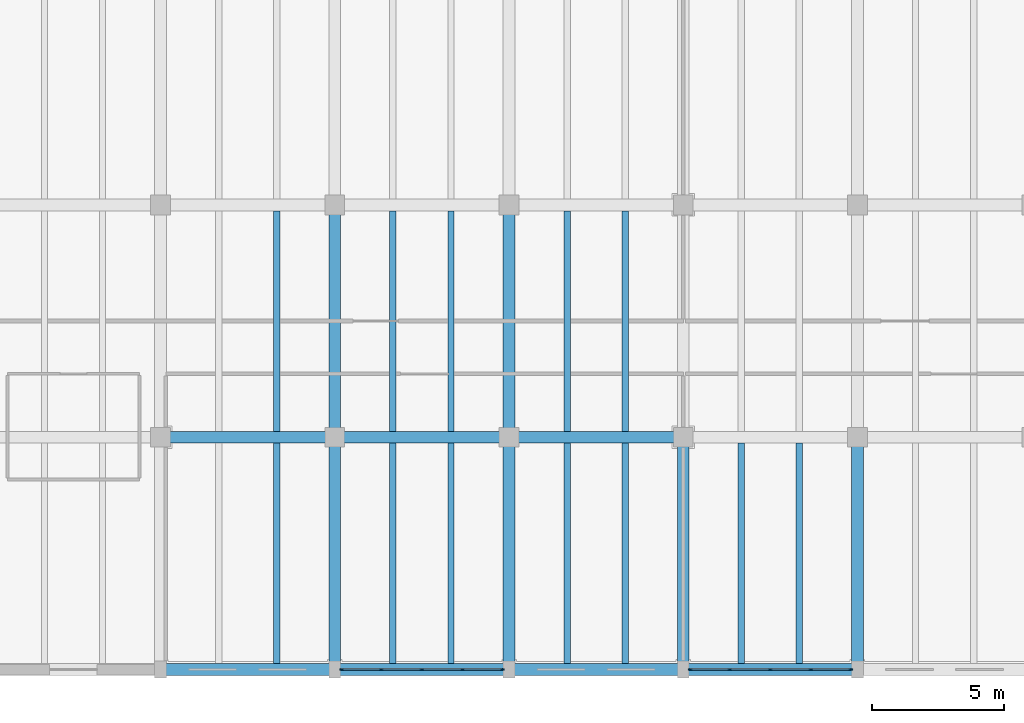
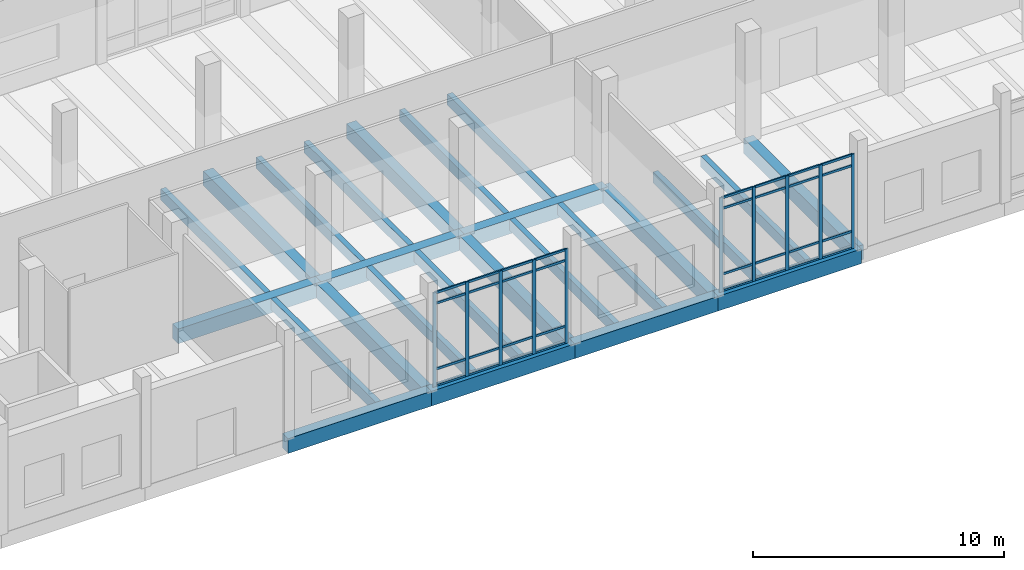
# One storey, part 22 of 72: 42 members, 25 beams, 2 elements without a shape of their own.
"""IFC4 building model written with IfcOpenShell, lengths in metres."""

from ifc_helpers import new_model, si_unit, direction, frame, origin, origin_2d, place, context, subcontext, project, spatial, rectangle, extrude, material, material_profile, profile_set, type_object, element, aggregate, save


model = new_model("IFC4")

# Units and contexts
model_context = context("Model", 3, precision=1e-05, world=origin(), true_north=direction((0.0, 1.0)))
body_context = subcontext(model_context, "Body", "Model", "MODEL_VIEW")
ifc_project = project(units=[si_unit("LENGTHUNIT", "METRE"), si_unit("AREAUNIT", "SQUARE_METRE"), si_unit("VOLUMEUNIT", "CUBIC_METRE"), si_unit("PLANEANGLEUNIT", "RADIAN"), si_unit("MASSUNIT", "GRAM", prefix="KILO")], contexts=[model_context])

# Site, building, storey
site_placement = place(None, origin())
site = spatial("IfcSite", under=ifc_project, at=site_placement, CompositionType="ELEMENT")
building_placement = place(site_placement, origin())
building = spatial("IfcBuilding", under=site, at=building_placement, Name="Dornvale Research Institute", CompositionType="ELEMENT")
storey_placement = place(building_placement, origin())
storey = spatial("IfcBuildingStorey", under=building, at=storey_placement, Name="L00", CompositionType="ELEMENT", Elevation=0.0)

# Beams
ifc_material_1 = material(Name="Concrete f'c 45 MPa (C35/45)", Category="concrete")
ifc_material_profile_1 = material_profile(ifc_material_1, rectangle(XDim=0.449951171875, YDim=0.715087890625, at=origin_2d()), Name="RC 450x715")
ifc_profile_set_1 = profile_set([ifc_material_profile_1], Name="Concrete f'c 45 MPa (C35/45)")
beam_type_1 = type_object("IfcBeamType", Name="Beam_RC450x715_Lab", PredefinedType="BEAM", material=ifc_profile_set_1)
for number, where, z_axis, x_axis, name in (
    (1, (125.39990234375, 0.0, -0.357421875), (1.0, 0.0, 0.0), (0.0, 1.0, 0.0), "L00 primary girder #135"),
    (2, (132.0, 0.0, -0.357421875), (1.0, 0.0, 0.0), (0.0, 1.0, 0.0), "L00 primary girder #136"),
):
    element("IfcBeam", number, at=place(storey_placement, frame(where, z_axis=z_axis, x_axis=x_axis)), inside=storey, type_object=beam_type_1, Name=name, PredefinedType="BEAM", context=body_context, shape_type="SweptSolid", body=[
        extrude(rectangle(XDim=0.449951171875, YDim=0.715087890625, at=origin_2d()), origin(), (0.0, 0.0, 1.0), 6.60009765625),
    ])
beam_1_placement = place(storey_placement, frame((138.60009765625, 0.0, -0.357421875), z_axis=(1.0, 0.0, 0.0), x_axis=(0.0, 1.0, 0.0)))
element("IfcBeam", 3, at=beam_1_placement, inside=storey, type_object=beam_type_1, Name="L00 primary girder #137", PredefinedType="BEAM", context=body_context, shape_type="SweptSolid", body=[
    extrude(rectangle(XDim=0.449951171875, YDim=0.715087890625, at=origin_2d()), origin(), (0.0, 0.0, 1.0), 6.599853515625),
])
for number, where, z_axis, x_axis, name in (
    (4, (145.199951171875, 0.0, -0.357421875), (1.0, 0.0, 0.0), (0.0, 1.0, 0.0), "L00 primary girder #138"),
    (5, (125.39990234375, 8.800048828125, -0.357421875), (1.0, 0.0, 0.0), (0.0, 1.0, 0.0), "L00 primary girder #147"),
    (6, (132.0, 8.800048828125, -0.357421875), (1.0, 0.0, 0.0), (0.0, 1.0, 0.0), "L00 primary girder #148"),
):
    element("IfcBeam", number, at=place(storey_placement, frame(where, z_axis=z_axis, x_axis=x_axis)), inside=storey, type_object=beam_type_1, Name=name, PredefinedType="BEAM", context=body_context, shape_type="SweptSolid", body=[
        extrude(rectangle(XDim=0.449951171875, YDim=0.715087890625, at=origin_2d()), origin(), (0.0, 0.0, 1.0), 6.60009765625),
    ])
beam_2_placement = place(storey_placement, frame((138.60009765625, 8.800048828125, -0.357421875), z_axis=(1.0, 0.0, 0.0), x_axis=(0.0, 1.0, 0.0)))
element("IfcBeam", 7, at=beam_2_placement, inside=storey, type_object=beam_type_1, Name="L00 primary girder #149", PredefinedType="BEAM", context=body_context, shape_type="SweptSolid", body=[
    extrude(rectangle(XDim=0.449951171875, YDim=0.715087890625, at=origin_2d()), origin(), (0.0, 0.0, 1.0), 6.599853515625),
])
for number, where, z_axis, x_axis, name in (
    (8, (132.0, 0.0, -0.357421875), (0.0, 1.0, 0.0), (-1.0, 0.0, 0.0), "L00 transverse girder #193"),
    (9, (132.0, 8.800048828125, -0.357421875), (0.0, 1.0, 0.0), (-1.0, 0.0, 0.0), "L00 transverse girder #194"),
    (10, (138.60009765625, 0.0, -0.357421875), (0.0, 1.0, 0.0), (-1.0, 0.0, 0.0), "L00 transverse girder #196"),
    (11, (138.60009765625, 8.800048828125, -0.357421875), (0.0, 1.0, 0.0), (-1.0, 0.0, 0.0), "L00 transverse girder #197"),
    (12, (145.199951171875, 0.0, -0.357421875), (0.0, 1.0, 0.0), (-1.0, 0.0, 0.0), "L00 transverse girder #199"),
    (13, (151.800048828125, 0.0, -0.357421875), (0.0, 1.0, 0.0), (-1.0, 0.0, 0.0), "L00 transverse girder #202"),
):
    element("IfcBeam", number, at=place(storey_placement, frame(where, z_axis=z_axis, x_axis=x_axis)), inside=storey, type_object=beam_type_1, Name=name, PredefinedType="BEAM", context=body_context, shape_type="SweptSolid", body=[
        extrude(rectangle(XDim=0.449951171875, YDim=0.715087890625, at=origin_2d()), origin(), (0.0, 0.0, 1.0), 8.800048828125),
    ])
ifc_material_2 = material(Name="Concrete f'c 45 MPa (C35/45)", Category="concrete")
ifc_material_profile_2 = material_profile(ifc_material_2, rectangle(XDim=0.239990234375, YDim=0.534912109375, at=origin_2d()), Name="RC 240x535")
ifc_profile_set_2 = profile_set([ifc_material_profile_2], Name="Concrete f'c 45 MPa (C35/45)")
beam_type_2 = type_object("IfcBeamType", Name="Joist_RC240x535_Waffle", PredefinedType="JOIST", material=ifc_profile_set_2)
beam_3_placement = place(storey_placement, frame((129.800048828125, 0.22509765625, -0.267578125), z_axis=(0.0, 1.0, 0.0), x_axis=(-1.0, 0.0, 0.0)))
element("IfcBeam", 14, at=beam_3_placement, inside=storey, type_object=beam_type_2, Name="L00 laboratory waffle joist #96", PredefinedType="JOIST", context=body_context, shape_type="SweptSolid", body=[
    extrude(rectangle(XDim=0.239990234375, YDim=0.534912109375, at=origin_2d()), origin(), (0.0, 0.0, 1.0), 8.349853515625),
])
beam_4_placement = place(storey_placement, frame((129.800048828125, 9.02490234375, -0.267578125), z_axis=(0.0, 1.0, 0.0), x_axis=(-1.0, 0.0, 0.0)))
element("IfcBeam", 15, at=beam_4_placement, inside=storey, type_object=beam_type_2, Name="L00 laboratory waffle joist #98", PredefinedType="JOIST", context=body_context, shape_type="SweptSolid", body=[
    extrude(rectangle(XDim=0.239990234375, YDim=0.534912109375, at=origin_2d()), origin(), (0.0, 0.0, 1.0), 8.35009765625),
])
for number, where, z_axis, x_axis, name in (
    (16, (134.199951171875, 0.22509765625, -0.267578125), (0.0, 1.0, 0.0), (-1.0, 0.0, 0.0), "L00 laboratory waffle joist #101"),
    (17, (136.39990234375, 0.22509765625, -0.267578125), (0.0, 1.0, 0.0), (-1.0, 0.0, 0.0), "L00 laboratory waffle joist #102"),
):
    element("IfcBeam", number, at=place(storey_placement, frame(where, z_axis=z_axis, x_axis=x_axis)), inside=storey, type_object=beam_type_2, Name=name, PredefinedType="JOIST", context=body_context, shape_type="SweptSolid", body=[
        extrude(rectangle(XDim=0.239990234375, YDim=0.534912109375, at=origin_2d()), origin(), (0.0, 0.0, 1.0), 8.349853515625),
    ])
for number, where, z_axis, x_axis, name in (
    (18, (134.199951171875, 9.02490234375, -0.267578125), (0.0, 1.0, 0.0), (-1.0, 0.0, 0.0), "L00 laboratory waffle joist #103"),
    (19, (136.39990234375, 9.02490234375, -0.267578125), (0.0, 1.0, 0.0), (-1.0, 0.0, 0.0), "L00 laboratory waffle joist #104"),
):
    element("IfcBeam", number, at=place(storey_placement, frame(where, z_axis=z_axis, x_axis=x_axis)), inside=storey, type_object=beam_type_2, Name=name, PredefinedType="JOIST", context=body_context, shape_type="SweptSolid", body=[
        extrude(rectangle(XDim=0.239990234375, YDim=0.534912109375, at=origin_2d()), origin(), (0.0, 0.0, 1.0), 8.35009765625),
    ])
for number, where, z_axis, x_axis, name in (
    (20, (140.800048828125, 0.22509765625, -0.267578125), (0.0, 1.0, 0.0), (-1.0, 0.0, 0.0), "L00 laboratory waffle joist #107"),
    (21, (143.0, 0.22509765625, -0.267578125), (0.0, 1.0, 0.0), (-1.0, 0.0, 0.0), "L00 laboratory waffle joist #108"),
):
    element("IfcBeam", number, at=place(storey_placement, frame(where, z_axis=z_axis, x_axis=x_axis)), inside=storey, type_object=beam_type_2, Name=name, PredefinedType="JOIST", context=body_context, shape_type="SweptSolid", body=[
        extrude(rectangle(XDim=0.239990234375, YDim=0.534912109375, at=origin_2d()), origin(), (0.0, 0.0, 1.0), 8.349853515625),
    ])
for number, where, z_axis, x_axis, name in (
    (22, (140.800048828125, 9.02490234375, -0.267578125), (0.0, 1.0, 0.0), (-1.0, 0.0, 0.0), "L00 laboratory waffle joist #109"),
    (23, (143.0, 9.02490234375, -0.267578125), (0.0, 1.0, 0.0), (-1.0, 0.0, 0.0), "L00 laboratory waffle joist #110"),
):
    element("IfcBeam", number, at=place(storey_placement, frame(where, z_axis=z_axis, x_axis=x_axis)), inside=storey, type_object=beam_type_2, Name=name, PredefinedType="JOIST", context=body_context, shape_type="SweptSolid", body=[
        extrude(rectangle(XDim=0.239990234375, YDim=0.534912109375, at=origin_2d()), origin(), (0.0, 0.0, 1.0), 8.35009765625),
    ])
for number, where, z_axis, x_axis, name in (
    (24, (147.39990234375, 0.22509765625, -0.267578125), (0.0, 1.0, 0.0), (-1.0, 0.0, 0.0), "L00 laboratory waffle joist #113"),
    (25, (149.60009765625, 0.22509765625, -0.267578125), (0.0, 1.0, 0.0), (-1.0, 0.0, 0.0), "L00 laboratory waffle joist #114"),
):
    element("IfcBeam", number, at=place(storey_placement, frame(where, z_axis=z_axis, x_axis=x_axis)), inside=storey, type_object=beam_type_2, Name=name, PredefinedType="JOIST", context=body_context, shape_type="SweptSolid", body=[
        extrude(rectangle(XDim=0.239990234375, YDim=0.534912109375, at=origin_2d()), origin(), (0.0, 0.0, 1.0), 8.349853515625),
    ])

# Curtain wall, members
ifc_material_3 = material(Name="Low-E Argon Double Insulating Glazing Unit", Category="glass")
curtain_wall_type = type_object("IfcCurtainWallType", Name="UnitisedCurtainWall_V3_6150x4600", PredefinedType="USERDEFINED", material=ifc_material_3)
curtain_wall_1_placement = place(storey_placement, origin())
curtain_wall_1 = element("IfcCurtainWall", 26, at=curtain_wall_1_placement, inside=storey, type_object=curtain_wall_type, Name="L00 V3 unitised curtain wall CW-04 #27", ObjectType="UNITISED CURTAIN WALL", PredefinedType="USERDEFINED")
ifc_material_4 = material(Name="Anodized Aluminum AA 6063-T6 Thermally Broken Frame", Category="aluminium")
ifc_material_profile_3 = material_profile(ifc_material_4, rectangle(XDim=0.06494140625, YDim=0.14990234375, at=origin_2d()), Name="ALU MULLION 65x150")
ifc_profile_set_3 = profile_set([ifc_material_profile_3], Name="Anodized Aluminum AA 6063-T6 Thermally Broken Frame")
member_type_1 = type_object("IfcMemberType", Name="Mullion_CW_65x150", PredefinedType="MULLION", material=ifc_profile_set_3)
member_1_placement = place(storey_placement, frame((151.54248046875, 0.0, 0.0), z_axis=(0.0, 0.0, 1.0), x_axis=(0.0, -1.0, 0.0)))
member_1 = element("IfcMember", 27, at=member_1_placement, type_object=member_type_1, Name="CW-04 mullion 1", PredefinedType="MULLION", context=body_context, shape_type="SweptSolid", body=[
    extrude(rectangle(XDim=0.06494140625, YDim=0.14990234375, at=origin_2d()), origin(), (0.0, 0.0, 1.0), 4.60009765625),
])
member_2_placement = place(storey_placement, frame((150.03759765625, 0.0, 0.0), z_axis=(0.0, 0.0, 1.0), x_axis=(0.0, -1.0, 0.0)))
member_2 = element("IfcMember", 28, at=member_2_placement, type_object=member_type_1, Name="CW-04 mullion 2", PredefinedType="MULLION", context=body_context, shape_type="SweptSolid", body=[
    extrude(rectangle(XDim=0.06494140625, YDim=0.14990234375, at=origin_2d()), origin(), (0.0, 0.0, 1.0), 4.60009765625),
])
member_3_placement = place(storey_placement, frame((148.5, 0.0, 0.0), z_axis=(0.0, 0.0, 1.0), x_axis=(0.0, -1.0, 0.0)))
member_3 = element("IfcMember", 29, at=member_3_placement, type_object=member_type_1, Name="CW-04 mullion 3", PredefinedType="MULLION", context=body_context, shape_type="SweptSolid", body=[
    extrude(rectangle(XDim=0.06494140625, YDim=0.14990234375, at=origin_2d()), origin(), (0.0, 0.0, 1.0), 4.60009765625),
])
member_4_placement = place(storey_placement, frame((146.96240234375, 0.0, 0.0), z_axis=(0.0, 0.0, 1.0), x_axis=(0.0, -1.0, 0.0)))
member_4 = element("IfcMember", 30, at=member_4_placement, type_object=member_type_1, Name="CW-04 mullion 4", PredefinedType="MULLION", context=body_context, shape_type="SweptSolid", body=[
    extrude(rectangle(XDim=0.06494140625, YDim=0.14990234375, at=origin_2d()), origin(), (0.0, 0.0, 1.0), 4.60009765625),
])
member_5_placement = place(storey_placement, frame((145.45751953125, 0.0, 0.0), z_axis=(0.0, 0.0, 1.0), x_axis=(0.0, -1.0, 0.0)))
member_5 = element("IfcMember", 31, at=member_5_placement, type_object=member_type_1, Name="CW-04 mullion 5", PredefinedType="MULLION", context=body_context, shape_type="SweptSolid", body=[
    extrude(rectangle(XDim=0.06494140625, YDim=0.14990234375, at=origin_2d()), origin(), (0.0, 0.0, 1.0), 4.60009765625),
])

curtain_wall_2_placement = place(storey_placement, origin())
curtain_wall_2 = element("IfcCurtainWall", 32, at=curtain_wall_2_placement, inside=storey, type_object=curtain_wall_type, Name="L00 V3 unitised curtain wall CW-04 #28", ObjectType="UNITISED CURTAIN WALL", PredefinedType="USERDEFINED")
member_6_placement = place(storey_placement, frame((138.342529296875, 0.0, 0.0), z_axis=(0.0, 0.0, 1.0), x_axis=(0.0, -1.0, 0.0)))
member_6 = element("IfcMember", 33, at=member_6_placement, type_object=member_type_1, Name="CW-04 mullion 1", PredefinedType="MULLION", context=body_context, shape_type="SweptSolid", body=[
    extrude(rectangle(XDim=0.06494140625, YDim=0.14990234375, at=origin_2d()), origin(), (0.0, 0.0, 1.0), 4.60009765625),
])
member_7_placement = place(storey_placement, frame((136.83740234375, 0.0, 0.0), z_axis=(0.0, 0.0, 1.0), x_axis=(0.0, -1.0, 0.0)))
member_7 = element("IfcMember", 34, at=member_7_placement, type_object=member_type_1, Name="CW-04 mullion 2", PredefinedType="MULLION", context=body_context, shape_type="SweptSolid", body=[
    extrude(rectangle(XDim=0.06494140625, YDim=0.14990234375, at=origin_2d()), origin(), (0.0, 0.0, 1.0), 4.60009765625),
])
member_8_placement = place(storey_placement, frame((135.300048828125, 0.0, 0.0), z_axis=(0.0, 0.0, 1.0), x_axis=(0.0, -1.0, 0.0)))
member_8 = element("IfcMember", 35, at=member_8_placement, type_object=member_type_1, Name="CW-04 mullion 3", PredefinedType="MULLION", context=body_context, shape_type="SweptSolid", body=[
    extrude(rectangle(XDim=0.06494140625, YDim=0.14990234375, at=origin_2d()), origin(), (0.0, 0.0, 1.0), 4.60009765625),
])
member_9_placement = place(storey_placement, frame((133.762451171875, 0.0, 0.0), z_axis=(0.0, 0.0, 1.0), x_axis=(0.0, -1.0, 0.0)))
member_9 = element("IfcMember", 36, at=member_9_placement, type_object=member_type_1, Name="CW-04 mullion 4", PredefinedType="MULLION", context=body_context, shape_type="SweptSolid", body=[
    extrude(rectangle(XDim=0.06494140625, YDim=0.14990234375, at=origin_2d()), origin(), (0.0, 0.0, 1.0), 4.60009765625),
])
member_10_placement = place(storey_placement, frame((132.257568359375, 0.0, 0.0), z_axis=(0.0, 0.0, 1.0), x_axis=(0.0, -1.0, 0.0)))
member_10 = element("IfcMember", 37, at=member_10_placement, type_object=member_type_1, Name="CW-04 mullion 5", PredefinedType="MULLION", context=body_context, shape_type="SweptSolid", body=[
    extrude(rectangle(XDim=0.06494140625, YDim=0.14990234375, at=origin_2d()), origin(), (0.0, 0.0, 1.0), 4.60009765625),
])

# Member
ifc_material_5 = material(Name="Anodized Aluminum AA 6063-T6 Thermally Broken Frame", Category="aluminium")
ifc_material_profile_4 = material_profile(ifc_material_5, rectangle(XDim=0.06494140625, YDim=0.110107421875, at=origin_2d()), Name="ALU TRANSOM 65x110")
ifc_profile_set_4 = profile_set([ifc_material_profile_4], Name="Anodized Aluminum AA 6063-T6 Thermally Broken Frame")
member_type_2 = type_object("IfcMemberType", Name="Transom_CW_65x110", PredefinedType="USERDEFINED", material=ifc_profile_set_4)
member_11_placement = place(storey_placement, frame((151.510009765625, 0.0, 0.032470703125), z_axis=(-1.0, 0.0, 0.0), x_axis=(0.0, -1.0, 0.0)))
member_11 = element("IfcMember", 38, at=member_11_placement, type_object=member_type_2, Name="CW-04 transom 1.1", ObjectType="TRANSOM", PredefinedType="USERDEFINED", context=body_context, shape_type="SweptSolid", body=[
    extrude(rectangle(XDim=0.06494140625, YDim=0.110107421875, at=origin_2d()), origin(), (0.0, 0.0, 1.0), 1.43994140625),
])

member_12_placement = place(storey_placement, frame((151.510009765625, 0.0, 0.85009765625), z_axis=(-1.0, 0.0, 0.0), x_axis=(0.0, -1.0, 0.0)))
member_12 = element("IfcMember", 39, at=member_12_placement, type_object=member_type_2, Name="CW-04 transom 1.2", ObjectType="TRANSOM", PredefinedType="USERDEFINED", context=body_context, shape_type="SweptSolid", body=[
    extrude(rectangle(XDim=0.06494140625, YDim=0.110107421875, at=origin_2d()), origin(), (0.0, 0.0, 1.0), 1.43994140625),
])

member_13_placement = place(storey_placement, frame((151.510009765625, 0.0, 4.050048828125), z_axis=(-1.0, 0.0, 0.0), x_axis=(0.0, -1.0, 0.0)))
member_13 = element("IfcMember", 40, at=member_13_placement, type_object=member_type_2, Name="CW-04 transom 1.3", ObjectType="TRANSOM", PredefinedType="USERDEFINED", context=body_context, shape_type="SweptSolid", body=[
    extrude(rectangle(XDim=0.06494140625, YDim=0.110107421875, at=origin_2d()), origin(), (0.0, 0.0, 1.0), 1.43994140625),
])

member_14_placement = place(storey_placement, frame((151.510009765625, 0.0, 4.5673828125), z_axis=(-1.0, 0.0, 0.0), x_axis=(0.0, -1.0, 0.0)))
member_14 = element("IfcMember", 41, at=member_14_placement, type_object=member_type_2, Name="CW-04 transom 1.4", ObjectType="TRANSOM", PredefinedType="USERDEFINED", context=body_context, shape_type="SweptSolid", body=[
    extrude(rectangle(XDim=0.06494140625, YDim=0.110107421875, at=origin_2d()), origin(), (0.0, 0.0, 1.0), 1.43994140625),
])

member_15_placement = place(storey_placement, frame((150.0048828125, 0.0, 0.032470703125), z_axis=(-1.0, 0.0, 0.0), x_axis=(0.0, -1.0, 0.0)))
member_15 = element("IfcMember", 42, at=member_15_placement, type_object=member_type_2, Name="CW-04 transom 2.1", ObjectType="TRANSOM", PredefinedType="USERDEFINED", context=body_context, shape_type="SweptSolid", body=[
    extrude(rectangle(XDim=0.06494140625, YDim=0.110107421875, at=origin_2d()), origin(), (0.0, 0.0, 1.0), 1.472412109375),
])

member_16_placement = place(storey_placement, frame((150.0048828125, 0.0, 0.85009765625), z_axis=(-1.0, 0.0, 0.0), x_axis=(0.0, -1.0, 0.0)))
member_16 = element("IfcMember", 43, at=member_16_placement, type_object=member_type_2, Name="CW-04 transom 2.2", ObjectType="TRANSOM", PredefinedType="USERDEFINED", context=body_context, shape_type="SweptSolid", body=[
    extrude(rectangle(XDim=0.06494140625, YDim=0.110107421875, at=origin_2d()), origin(), (0.0, 0.0, 1.0), 1.472412109375),
])

member_17_placement = place(storey_placement, frame((150.0048828125, 0.0, 4.050048828125), z_axis=(-1.0, 0.0, 0.0), x_axis=(0.0, -1.0, 0.0)))
member_17 = element("IfcMember", 44, at=member_17_placement, type_object=member_type_2, Name="CW-04 transom 2.3", ObjectType="TRANSOM", PredefinedType="USERDEFINED", context=body_context, shape_type="SweptSolid", body=[
    extrude(rectangle(XDim=0.06494140625, YDim=0.110107421875, at=origin_2d()), origin(), (0.0, 0.0, 1.0), 1.472412109375),
])

member_18_placement = place(storey_placement, frame((150.0048828125, 0.0, 4.5673828125), z_axis=(-1.0, 0.0, 0.0), x_axis=(0.0, -1.0, 0.0)))
member_18 = element("IfcMember", 45, at=member_18_placement, type_object=member_type_2, Name="CW-04 transom 2.4", ObjectType="TRANSOM", PredefinedType="USERDEFINED", context=body_context, shape_type="SweptSolid", body=[
    extrude(rectangle(XDim=0.06494140625, YDim=0.110107421875, at=origin_2d()), origin(), (0.0, 0.0, 1.0), 1.472412109375),
])

member_19_placement = place(storey_placement, frame((148.467529296875, 0.0, 0.032470703125), z_axis=(-1.0, 0.0, 0.0), x_axis=(0.0, -1.0, 0.0)))
member_19 = element("IfcMember", 46, at=member_19_placement, type_object=member_type_2, Name="CW-04 transom 3.1", ObjectType="TRANSOM", PredefinedType="USERDEFINED", context=body_context, shape_type="SweptSolid", body=[
    extrude(rectangle(XDim=0.06494140625, YDim=0.110107421875, at=origin_2d()), origin(), (0.0, 0.0, 1.0), 1.472412109375),
])

member_20_placement = place(storey_placement, frame((148.467529296875, 0.0, 0.85009765625), z_axis=(-1.0, 0.0, 0.0), x_axis=(0.0, -1.0, 0.0)))
member_20 = element("IfcMember", 47, at=member_20_placement, type_object=member_type_2, Name="CW-04 transom 3.2", ObjectType="TRANSOM", PredefinedType="USERDEFINED", context=body_context, shape_type="SweptSolid", body=[
    extrude(rectangle(XDim=0.06494140625, YDim=0.110107421875, at=origin_2d()), origin(), (0.0, 0.0, 1.0), 1.472412109375),
])

member_21_placement = place(storey_placement, frame((148.467529296875, 0.0, 4.050048828125), z_axis=(-1.0, 0.0, 0.0), x_axis=(0.0, -1.0, 0.0)))
member_21 = element("IfcMember", 48, at=member_21_placement, type_object=member_type_2, Name="CW-04 transom 3.3", ObjectType="TRANSOM", PredefinedType="USERDEFINED", context=body_context, shape_type="SweptSolid", body=[
    extrude(rectangle(XDim=0.06494140625, YDim=0.110107421875, at=origin_2d()), origin(), (0.0, 0.0, 1.0), 1.472412109375),
])

member_22_placement = place(storey_placement, frame((148.467529296875, 0.0, 4.5673828125), z_axis=(-1.0, 0.0, 0.0), x_axis=(0.0, -1.0, 0.0)))
member_22 = element("IfcMember", 49, at=member_22_placement, type_object=member_type_2, Name="CW-04 transom 3.4", ObjectType="TRANSOM", PredefinedType="USERDEFINED", context=body_context, shape_type="SweptSolid", body=[
    extrude(rectangle(XDim=0.06494140625, YDim=0.110107421875, at=origin_2d()), origin(), (0.0, 0.0, 1.0), 1.472412109375),
])

member_23_placement = place(storey_placement, frame((146.929931640625, 0.0, 0.032470703125), z_axis=(-1.0, 0.0, 0.0), x_axis=(0.0, -1.0, 0.0)))
member_23 = element("IfcMember", 50, at=member_23_placement, type_object=member_type_2, Name="CW-04 transom 4.1", ObjectType="TRANSOM", PredefinedType="USERDEFINED", context=body_context, shape_type="SweptSolid", body=[
    extrude(rectangle(XDim=0.06494140625, YDim=0.110107421875, at=origin_2d()), origin(), (0.0, 0.0, 1.0), 1.43994140625),
])

member_24_placement = place(storey_placement, frame((146.929931640625, 0.0, 0.85009765625), z_axis=(-1.0, 0.0, 0.0), x_axis=(0.0, -1.0, 0.0)))
member_24 = element("IfcMember", 51, at=member_24_placement, type_object=member_type_2, Name="CW-04 transom 4.2", ObjectType="TRANSOM", PredefinedType="USERDEFINED", context=body_context, shape_type="SweptSolid", body=[
    extrude(rectangle(XDim=0.06494140625, YDim=0.110107421875, at=origin_2d()), origin(), (0.0, 0.0, 1.0), 1.43994140625),
])

member_25_placement = place(storey_placement, frame((146.929931640625, 0.0, 4.050048828125), z_axis=(-1.0, 0.0, 0.0), x_axis=(0.0, -1.0, 0.0)))
member_25 = element("IfcMember", 52, at=member_25_placement, type_object=member_type_2, Name="CW-04 transom 4.3", ObjectType="TRANSOM", PredefinedType="USERDEFINED", context=body_context, shape_type="SweptSolid", body=[
    extrude(rectangle(XDim=0.06494140625, YDim=0.110107421875, at=origin_2d()), origin(), (0.0, 0.0, 1.0), 1.43994140625),
])

member_26_placement = place(storey_placement, frame((146.929931640625, 0.0, 4.5673828125), z_axis=(-1.0, 0.0, 0.0), x_axis=(0.0, -1.0, 0.0)))
member_26 = element("IfcMember", 53, at=member_26_placement, type_object=member_type_2, Name="CW-04 transom 4.4", ObjectType="TRANSOM", PredefinedType="USERDEFINED", context=body_context, shape_type="SweptSolid", body=[
    extrude(rectangle(XDim=0.06494140625, YDim=0.110107421875, at=origin_2d()), origin(), (0.0, 0.0, 1.0), 1.43994140625),
])

aggregate(curtain_wall_1, [member_1, member_2, member_3, member_4, member_5, member_11, member_12, member_13, member_14, member_15, member_16, member_17, member_18, member_19, member_20, member_21, member_22, member_23, member_24, member_25, member_26])

member_27_placement = place(storey_placement, frame((138.31005859375, 0.0, 0.032470703125), z_axis=(-1.0, 0.0, 0.0), x_axis=(0.0, -1.0, 0.0)))
member_27 = element("IfcMember", 54, at=member_27_placement, type_object=member_type_2, Name="CW-04 transom 1.1", ObjectType="TRANSOM", PredefinedType="USERDEFINED", context=body_context, shape_type="SweptSolid", body=[
    extrude(rectangle(XDim=0.06494140625, YDim=0.110107421875, at=origin_2d()), origin(), (0.0, 0.0, 1.0), 1.43994140625),
])

member_28_placement = place(storey_placement, frame((138.31005859375, 0.0, 0.85009765625), z_axis=(-1.0, 0.0, 0.0), x_axis=(0.0, -1.0, 0.0)))
member_28 = element("IfcMember", 55, at=member_28_placement, type_object=member_type_2, Name="CW-04 transom 1.2", ObjectType="TRANSOM", PredefinedType="USERDEFINED", context=body_context, shape_type="SweptSolid", body=[
    extrude(rectangle(XDim=0.06494140625, YDim=0.110107421875, at=origin_2d()), origin(), (0.0, 0.0, 1.0), 1.43994140625),
])

member_29_placement = place(storey_placement, frame((138.31005859375, 0.0, 4.050048828125), z_axis=(-1.0, 0.0, 0.0), x_axis=(0.0, -1.0, 0.0)))
member_29 = element("IfcMember", 56, at=member_29_placement, type_object=member_type_2, Name="CW-04 transom 1.3", ObjectType="TRANSOM", PredefinedType="USERDEFINED", context=body_context, shape_type="SweptSolid", body=[
    extrude(rectangle(XDim=0.06494140625, YDim=0.110107421875, at=origin_2d()), origin(), (0.0, 0.0, 1.0), 1.43994140625),
])

member_30_placement = place(storey_placement, frame((138.31005859375, 0.0, 4.5673828125), z_axis=(-1.0, 0.0, 0.0), x_axis=(0.0, -1.0, 0.0)))
member_30 = element("IfcMember", 57, at=member_30_placement, type_object=member_type_2, Name="CW-04 transom 1.4", ObjectType="TRANSOM", PredefinedType="USERDEFINED", context=body_context, shape_type="SweptSolid", body=[
    extrude(rectangle(XDim=0.06494140625, YDim=0.110107421875, at=origin_2d()), origin(), (0.0, 0.0, 1.0), 1.43994140625),
])

member_31_placement = place(storey_placement, frame((136.804931640625, 0.0, 0.032470703125), z_axis=(-1.0, 0.0, 0.0), x_axis=(0.0, -1.0, 0.0)))
member_31 = element("IfcMember", 58, at=member_31_placement, type_object=member_type_2, Name="CW-04 transom 2.1", ObjectType="TRANSOM", PredefinedType="USERDEFINED", context=body_context, shape_type="SweptSolid", body=[
    extrude(rectangle(XDim=0.06494140625, YDim=0.110107421875, at=origin_2d()), origin(), (0.0, 0.0, 1.0), 1.472412109375),
])

member_32_placement = place(storey_placement, frame((136.804931640625, 0.0, 0.85009765625), z_axis=(-1.0, 0.0, 0.0), x_axis=(0.0, -1.0, 0.0)))
member_32 = element("IfcMember", 59, at=member_32_placement, type_object=member_type_2, Name="CW-04 transom 2.2", ObjectType="TRANSOM", PredefinedType="USERDEFINED", context=body_context, shape_type="SweptSolid", body=[
    extrude(rectangle(XDim=0.06494140625, YDim=0.110107421875, at=origin_2d()), origin(), (0.0, 0.0, 1.0), 1.472412109375),
])

member_33_placement = place(storey_placement, frame((136.804931640625, 0.0, 4.050048828125), z_axis=(-1.0, 0.0, 0.0), x_axis=(0.0, -1.0, 0.0)))
member_33 = element("IfcMember", 60, at=member_33_placement, type_object=member_type_2, Name="CW-04 transom 2.3", ObjectType="TRANSOM", PredefinedType="USERDEFINED", context=body_context, shape_type="SweptSolid", body=[
    extrude(rectangle(XDim=0.06494140625, YDim=0.110107421875, at=origin_2d()), origin(), (0.0, 0.0, 1.0), 1.472412109375),
])

member_34_placement = place(storey_placement, frame((136.804931640625, 0.0, 4.5673828125), z_axis=(-1.0, 0.0, 0.0), x_axis=(0.0, -1.0, 0.0)))
member_34 = element("IfcMember", 61, at=member_34_placement, type_object=member_type_2, Name="CW-04 transom 2.4", ObjectType="TRANSOM", PredefinedType="USERDEFINED", context=body_context, shape_type="SweptSolid", body=[
    extrude(rectangle(XDim=0.06494140625, YDim=0.110107421875, at=origin_2d()), origin(), (0.0, 0.0, 1.0), 1.472412109375),
])

member_35_placement = place(storey_placement, frame((135.267578125, 0.0, 0.032470703125), z_axis=(-1.0, 0.0, 0.0), x_axis=(0.0, -1.0, 0.0)))
member_35 = element("IfcMember", 62, at=member_35_placement, type_object=member_type_2, Name="CW-04 transom 3.1", ObjectType="TRANSOM", PredefinedType="USERDEFINED", context=body_context, shape_type="SweptSolid", body=[
    extrude(rectangle(XDim=0.06494140625, YDim=0.110107421875, at=origin_2d()), origin(), (0.0, 0.0, 1.0), 1.47265625),
])

member_36_placement = place(storey_placement, frame((135.267578125, 0.0, 0.85009765625), z_axis=(-1.0, 0.0, 0.0), x_axis=(0.0, -1.0, 0.0)))
member_36 = element("IfcMember", 63, at=member_36_placement, type_object=member_type_2, Name="CW-04 transom 3.2", ObjectType="TRANSOM", PredefinedType="USERDEFINED", context=body_context, shape_type="SweptSolid", body=[
    extrude(rectangle(XDim=0.06494140625, YDim=0.110107421875, at=origin_2d()), origin(), (0.0, 0.0, 1.0), 1.47265625),
])

member_37_placement = place(storey_placement, frame((135.267578125, 0.0, 4.050048828125), z_axis=(-1.0, 0.0, 0.0), x_axis=(0.0, -1.0, 0.0)))
member_37 = element("IfcMember", 64, at=member_37_placement, type_object=member_type_2, Name="CW-04 transom 3.3", ObjectType="TRANSOM", PredefinedType="USERDEFINED", context=body_context, shape_type="SweptSolid", body=[
    extrude(rectangle(XDim=0.06494140625, YDim=0.110107421875, at=origin_2d()), origin(), (0.0, 0.0, 1.0), 1.47265625),
])

member_38_placement = place(storey_placement, frame((135.267578125, 0.0, 4.5673828125), z_axis=(-1.0, 0.0, 0.0), x_axis=(0.0, -1.0, 0.0)))
member_38 = element("IfcMember", 65, at=member_38_placement, type_object=member_type_2, Name="CW-04 transom 3.4", ObjectType="TRANSOM", PredefinedType="USERDEFINED", context=body_context, shape_type="SweptSolid", body=[
    extrude(rectangle(XDim=0.06494140625, YDim=0.110107421875, at=origin_2d()), origin(), (0.0, 0.0, 1.0), 1.47265625),
])

member_39_placement = place(storey_placement, frame((133.72998046875, 0.0, 0.032470703125), z_axis=(-1.0, 0.0, 0.0), x_axis=(0.0, -1.0, 0.0)))
member_39 = element("IfcMember", 66, at=member_39_placement, type_object=member_type_2, Name="CW-04 transom 4.1", ObjectType="TRANSOM", PredefinedType="USERDEFINED", context=body_context, shape_type="SweptSolid", body=[
    extrude(rectangle(XDim=0.06494140625, YDim=0.110107421875, at=origin_2d()), origin(), (0.0, 0.0, 1.0), 1.43994140625),
])

member_40_placement = place(storey_placement, frame((133.72998046875, 0.0, 0.85009765625), z_axis=(-1.0, 0.0, 0.0), x_axis=(0.0, -1.0, 0.0)))
member_40 = element("IfcMember", 67, at=member_40_placement, type_object=member_type_2, Name="CW-04 transom 4.2", ObjectType="TRANSOM", PredefinedType="USERDEFINED", context=body_context, shape_type="SweptSolid", body=[
    extrude(rectangle(XDim=0.06494140625, YDim=0.110107421875, at=origin_2d()), origin(), (0.0, 0.0, 1.0), 1.43994140625),
])

member_41_placement = place(storey_placement, frame((133.72998046875, 0.0, 4.050048828125), z_axis=(-1.0, 0.0, 0.0), x_axis=(0.0, -1.0, 0.0)))
member_41 = element("IfcMember", 68, at=member_41_placement, type_object=member_type_2, Name="CW-04 transom 4.3", ObjectType="TRANSOM", PredefinedType="USERDEFINED", context=body_context, shape_type="SweptSolid", body=[
    extrude(rectangle(XDim=0.06494140625, YDim=0.110107421875, at=origin_2d()), origin(), (0.0, 0.0, 1.0), 1.43994140625),
])

member_42_placement = place(storey_placement, frame((133.72998046875, 0.0, 4.5673828125), z_axis=(-1.0, 0.0, 0.0), x_axis=(0.0, -1.0, 0.0)))
member_42 = element("IfcMember", 69, at=member_42_placement, type_object=member_type_2, Name="CW-04 transom 4.4", ObjectType="TRANSOM", PredefinedType="USERDEFINED", context=body_context, shape_type="SweptSolid", body=[
    extrude(rectangle(XDim=0.06494140625, YDim=0.110107421875, at=origin_2d()), origin(), (0.0, 0.0, 1.0), 1.43994140625),
])

aggregate(curtain_wall_2, [member_6, member_7, member_8, member_9, member_10, member_27, member_28, member_29, member_30, member_31, member_32, member_33, member_34, member_35, member_36, member_37, member_38, member_39, member_40, member_41, member_42])

save(model, "model.ifc")
